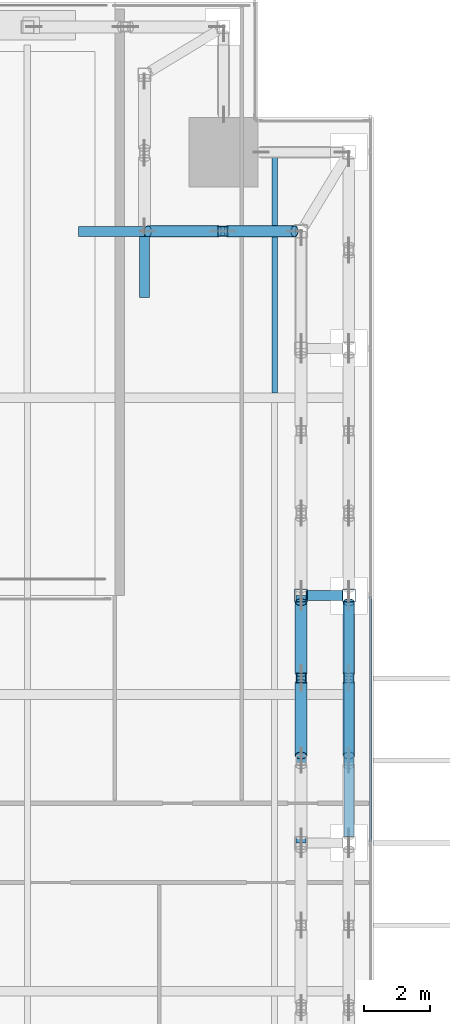
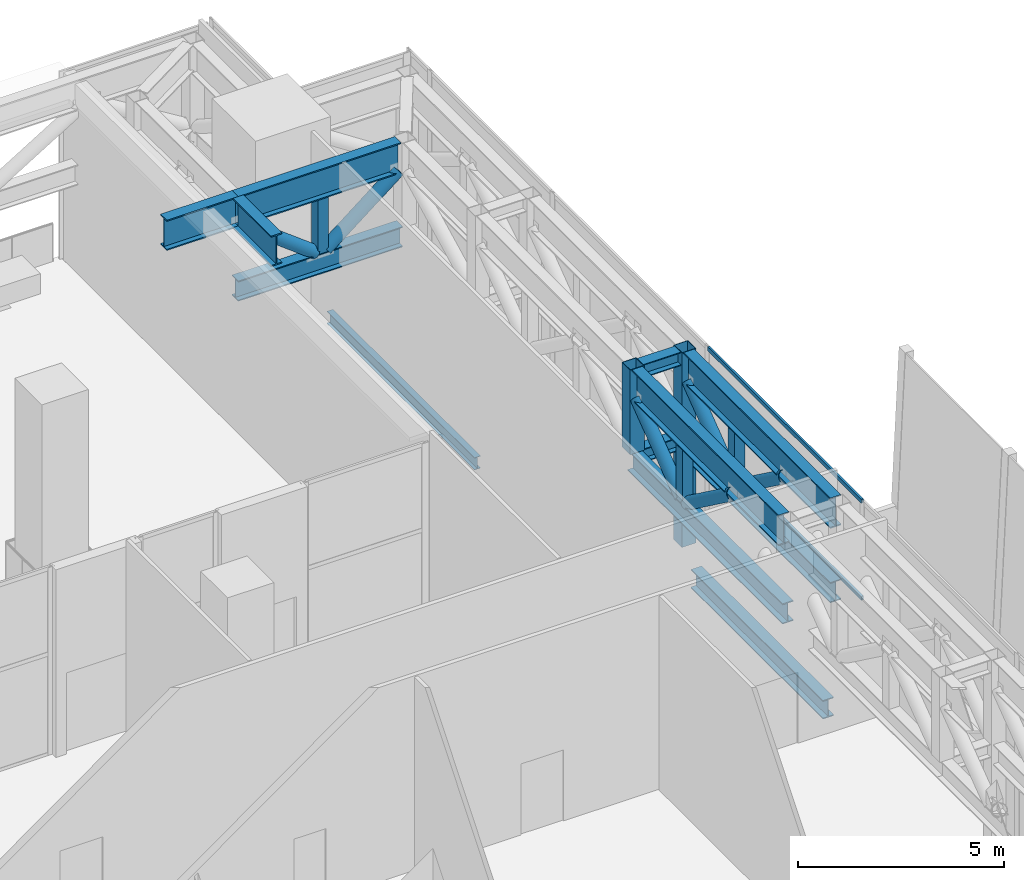
# One storey, part 26 of 47: 21 members, 4 beams, 1 element without a shape of its own.
"""IFC4 building model written with IfcOpenShell, lengths in metres."""

import ifcopenshell
import ifcopenshell.guid

model = None  # the IFC model being written
_history = None  # IfcOwnerHistory: only IFC2X3 demands one
_inside = {}  # id of a spatial element -> (the spatial element, [elements in it])
_under = {}  # id of a project, library or spatial element -> (it, [spatial elements below it])
_declared = {}  # id of a project -> (the project, [libraries it declares])
_typed = {}  # id of a type object -> (the type object, [elements of that type])
_made_of = {}  # id of a material, layer set ... -> (it, [elements and type objects made of it])


def new_model(schema):
    """Start an empty IFC model of exactly this schema.

    Asked for "IFC4X3", IfcOpenShell would pick the latest addendum, in which some entities
    have other attributes; the version numbers below select the first issue.
    IFC2X3 requires an IfcOwnerHistory on every rooted entity: one is made here for all.
    """
    global model, _history
    if schema == "IFC4X3":
        model = ifcopenshell.file(schema_version=(4, 3, 0, 0))
    else:
        model = ifcopenshell.file(schema=schema)
    _inside.clear()
    _under.clear()
    _declared.clear()
    _typed.clear()
    _made_of.clear()
    _history = None
    if model.schema == "IFC2X3":
        org = make("IfcOrganization", Name="unknown")
        user = make(
            "IfcPersonAndOrganization",
            ThePerson=make("IfcPerson", FamilyName="unknown"),
            TheOrganization=org,
        )
        app = make(
            "IfcApplication",
            ApplicationDeveloper=org,
            Version="unknown",
            ApplicationFullName="unknown",
            ApplicationIdentifier="unknown",
        )
        _history = make(
            "IfcOwnerHistory",
            OwningUser=user,
            OwningApplication=app,
            ChangeAction="ADDED",
            CreationDate=0,
        )
    return model


def make(cls, **values):
    """One entity of the class cls with the attributes given. An attribute that is None is left unset."""
    return model.create_entity(
        cls, **{name: value for name, value in values.items() if value is not None}
    )


def rooted(cls, **values):
    """An entity with a GlobalId (a new one), such as an element, a storey or a relation."""
    return make(cls, GlobalId=ifcopenshell.guid.new(), OwnerHistory=_history, **values)


def si_unit(unit_type, name, prefix=None):
    """IfcSIUnit, for example si_unit("LENGTHUNIT", "METRE", prefix="MILLI")."""
    return make("IfcSIUnit", UnitType=unit_type, Prefix=prefix, Name=name)


def assignment(units):
    """IfcUnitAssignment: the units of a project."""
    return None if units is None else make("IfcUnitAssignment", Units=units)


def point(xyz):
    """IfcCartesianPoint."""
    return None if xyz is None else make("IfcCartesianPoint", Coordinates=xyz)


def direction(xyz):
    """IfcDirection."""
    return None if xyz is None else make("IfcDirection", DirectionRatios=xyz)


def frame(location, z_axis=None, x_axis=None):
    """IfcAxis2Placement3D, a coordinate frame: its origin and axes. An axis left out is left unset."""
    return make(
        "IfcAxis2Placement3D",
        Location=point(location),
        Axis=direction(z_axis),
        RefDirection=direction(x_axis),
    )


def frame_2d(location, x_axis=None):
    """IfcAxis2Placement2D, a coordinate frame in the plane: its origin and x axis."""
    return make(
        "IfcAxis2Placement2D", Location=point(location), RefDirection=direction(x_axis)
    )


def origin():
    """The frame at (0, 0, 0) with its axes left unset."""
    return frame((0.0, 0.0, 0.0))


def origin_2d():
    """The frame at (0, 0) in the plane with its x axis left unset."""
    return frame_2d((0.0, 0.0))


def place(relative_to, where):
    """IfcLocalPlacement: puts the frame where relative to a parent placement (None: the world)."""
    return make(
        "IfcLocalPlacement", PlacementRelTo=relative_to, RelativePlacement=where
    )


def context(
    kind, dimensions, precision=None, world=None, true_north=None, identifier=None
):
    """IfcGeometricRepresentationContext, for example the 3D "Model" context."""
    return make(
        "IfcGeometricRepresentationContext",
        ContextIdentifier=identifier,
        ContextType=kind,
        CoordinateSpaceDimension=dimensions,
        Precision=precision,
        WorldCoordinateSystem=world,
        TrueNorth=true_north,
    )


def subcontext(parent, identifier, kind, view, scale=None):
    """IfcGeometricRepresentationSubContext, for example "Body" below "Model"."""
    return make(
        "IfcGeometricRepresentationSubContext",
        ContextIdentifier=identifier,
        ContextType=kind,
        ParentContext=parent,
        TargetScale=scale,
        TargetView=view,
    )


def project(units=None, contexts=None):
    """IfcProject with its units and contexts."""
    return rooted(
        "IfcProject",
        Name="project",
        RepresentationContexts=contexts,
        UnitsInContext=assignment(units),
    )


def spatial(cls, under=None, at=None, **own):
    """A site, building, storey or space (cls), placed at a placement, below another one or the project."""
    s = rooted(cls, ObjectPlacement=at, **own)
    if under is not None:
        _under.setdefault(under.id(), (under, []))[1].append(s)
    return s


def profile(cls, at=None, kind="AREA", **sizes):
    """A parametric profile (cls). Its sizes go by their IFC names, for example OverallWidth=200.0."""
    return make(cls, ProfileType=kind, Position=at, **sizes)


def hollow_rectangle(**sizes):
    """IfcRectangleHollowProfileDef."""
    return profile("IfcRectangleHollowProfileDef", **sizes)


def hollow_circle(**sizes):
    """IfcCircleHollowProfileDef."""
    return profile("IfcCircleHollowProfileDef", **sizes)


def i_section(**sizes):
    """IfcIShapeProfileDef."""
    return profile("IfcIShapeProfileDef", **sizes)


def extrude(swept, where, along, depth):
    """IfcExtrudedAreaSolid: the profile swept, set in the frame where, extruded along a direction by depth."""
    return make(
        "IfcExtrudedAreaSolid",
        SweptArea=swept,
        Position=where,
        ExtrudedDirection=direction(along),
        Depth=depth,
    )


def shape(context_of_items, identifier, shape_type, items):
    """IfcShapeRepresentation: the items that make up one representation, for example the "Body"."""
    return make(
        "IfcShapeRepresentation",
        ContextOfItems=context_of_items,
        RepresentationIdentifier=identifier,
        RepresentationType=shape_type,
        Items=items,
    )


def source(mapping_origin, context_of_items, identifier, shape_type, items):
    """IfcRepresentationMap: a shape defined once, which mapped items show again and again."""
    return make(
        "IfcRepresentationMap",
        MappingOrigin=mapping_origin,
        MappedRepresentation=shape(context_of_items, identifier, shape_type, items),
    )


def transform(
    local_origin,
    x_axis=None,
    y_axis=None,
    z_axis=None,
    scale=None,
    scale2=None,
    scale3=None,
    uniform=True,
):
    """IfcCartesianTransformationOperator3D, or its non-uniform kind. x_axis, y_axis, z_axis: its Axis1, 2, 3."""
    if uniform:
        return make(
            "IfcCartesianTransformationOperator3D",
            Axis1=direction(x_axis),
            Axis2=direction(y_axis),
            LocalOrigin=point(local_origin),
            Scale=scale,
            Axis3=direction(z_axis),
        )
    return make(
        "IfcCartesianTransformationOperator3DnonUniform",
        Axis1=direction(x_axis),
        Axis2=direction(y_axis),
        LocalOrigin=point(local_origin),
        Scale=scale,
        Axis3=direction(z_axis),
        Scale2=scale2,
        Scale3=scale3,
    )


def mapped(mapping_source, mapping_target):
    """IfcMappedItem: shows the shape of a source again, moved by a transform."""
    return make(
        "IfcMappedItem", MappingSource=mapping_source, MappingTarget=mapping_target
    )


def material(Name=None, Category=None):
    """IfcMaterial."""
    return make("IfcMaterial", Name=Name, Category=Category)


def material_profile(
    of_material, cross_section, Name=None, Category=None, Priority=None
):
    """IfcMaterialProfile: a cross section and its material."""
    return make(
        "IfcMaterialProfile",
        Name=Name,
        Material=of_material,
        Profile=cross_section,
        Priority=Priority,
        Category=Category,
    )


def profile_set(profiles, Name=None, composite=None):
    """IfcMaterialProfileSet."""
    return make(
        "IfcMaterialProfileSet",
        Name=Name,
        MaterialProfiles=profiles,
        CompositeProfile=composite,
    )


def made_of(thing, what):
    """Note that an element or type object is made of a material, layer set ...; save() writes the relation."""
    if what is not None:
        _made_of.setdefault(what.id(), (what, []))[1].append(thing)
    return thing


def type_object(cls, material=None, **own):
    """A type object (cls), such as IfcWallType, which elements share."""
    return made_of(rooted(cls, **own), material)


def element(
    cls,
    number,
    at=None,
    inside=None,
    cuts=None,
    type_object=None,
    material=None,
    context=None,
    identifier="Body",
    shape_type=None,
    held_by="IfcProductDefinitionShape",
    body=None,
    shapes=None,
    **own,
):
    """One element of the class cls, such as IfcWall. Its Tag is "e" and its number.

    at: its placement. inside: the storey or other place that contains it. cuts: it is an
    opening in that element (IfcRelVoidsElement). A single representation is given by context,
    identifier, shape_type and body (its items); several are given by shapes. held_by: the class
    of the entity that holds the representations. save() writes the other relations.
    """
    e = rooted(cls, Tag="e%d" % number, ObjectPlacement=at, **own)
    if body is not None:
        shapes = [shape(context, identifier, shape_type, body)]
    if shapes is not None:
        e.Representation = make(held_by, Representations=shapes)
    if inside is not None:
        _inside.setdefault(inside.id(), (inside, []))[1].append(e)
    if cuts is not None:
        rooted(
            "IfcRelVoidsElement", RelatingBuildingElement=cuts, RelatedOpeningElement=e
        )
    if type_object is not None:
        _typed.setdefault(type_object.id(), (type_object, []))[1].append(e)
    return made_of(e, material)


def aggregate(whole, parts):
    """IfcRelAggregates: a whole, such as a stair, and the parts it consists of."""
    return rooted("IfcRelAggregates", RelatingObject=whole, RelatedObjects=parts)


def save(model, path):
    """Write the relations noted so far, then the file.

    IfcRelAggregates (storeys below a building ...), IfcRelContainedInSpatialStructure (elements
    in a storey), IfcRelDefinesByType, IfcRelAssociatesMaterial and IfcRelDeclares: one each for
    every whole, place, type object, material and project.
    """
    for whole, parts in _under.values():
        aggregate(whole, parts)
    for where, things in _inside.values():
        rooted(
            "IfcRelContainedInSpatialStructure",
            RelatedElements=things,
            RelatingStructure=where,
        )
    for kind, things in _typed.values():
        rooted("IfcRelDefinesByType", RelatedObjects=things, RelatingType=kind)
    for what, things in _made_of.values():
        rooted("IfcRelAssociatesMaterial", RelatedObjects=things, RelatingMaterial=what)
    for by, libraries in _declared.values():
        rooted("IfcRelDeclares", RelatingContext=by, RelatedDefinitions=libraries)
    model.write(path)


model = new_model("IFC4")

# Units and contexts
model_context = context("Model", 3, precision=1e-05, world=origin(), true_north=direction((0.0, 1.0)))
body_context = subcontext(model_context, "Body", "Model", "MODEL_VIEW")
ifc_project = project(units=[si_unit("LENGTHUNIT", "METRE"), si_unit("AREAUNIT", "SQUARE_METRE"), si_unit("VOLUMEUNIT", "CUBIC_METRE"), si_unit("PLANEANGLEUNIT", "RADIAN"), si_unit("MASSUNIT", "GRAM", prefix="KILO")], contexts=[model_context])

# Site, building, storey
site_placement = place(None, origin())
site = spatial("IfcSite", under=ifc_project, at=site_placement, CompositionType="ELEMENT")
building_placement = place(site_placement, origin())
building = spatial("IfcBuilding", under=site, at=building_placement, Name="Khomas Fold Tower", CompositionType="ELEMENT")
storey_placement = place(building_placement, frame((0.0, 0.0, 158.699951171875)))
storey = spatial("IfcBuildingStorey", under=building, at=storey_placement, Name="L34", CompositionType="ELEMENT", Elevation=158.699951171875)

# Beams
ifc_material_1 = material(Name="Steel S355", Category="steel")
ifc_material_profile_1 = material_profile(ifc_material_1, i_section(OverallWidth=0.169921875, OverallDepth=0.360107421875, WebThickness=0.008056640625, FlangeThickness=0.0126953125, at=origin_2d()), Name="IPE 360")
ifc_profile_set_1 = profile_set([ifc_material_profile_1], Name="Steel S355")
beam_type_1 = type_object("IfcBeamType", Name="IPE 360 beam JB2", PredefinedType="BEAM", material=ifc_profile_set_1)
shared_shape_1 = source(origin(), body_context, "Body", "SweptSolid", [
    extrude(i_section(OverallWidth=0.169921875, OverallDepth=0.360107421875, WebThickness=0.008056640625, FlangeThickness=0.0126953125, at=origin_2d()), origin(), (0.0, 0.0, 1.0), 7.150146484375),
])
beam_1_placement = place(storey_placement, frame((49.5, 40.64990234375, -0.6298828125), z_axis=(0.0, 1.0, 0.0), x_axis=(-1.0, 0.0, 0.0)))
element("IfcBeam", 1, at=beam_1_placement, inside=storey, type_object=beam_type_1, Name="JB2", PredefinedType="BEAM", context=body_context, shape_type="MappedRepresentation", body=[
    mapped(shared_shape_1, transform((0.0, 0.0, 0.0))),
])
ifc_material_2 = material(Name="Steel S355", Category="steel")
ifc_material_profile_2 = material_profile(ifc_material_2, i_section(OverallWidth=0.300048828125, OverallDepth=0.550048828125, WebThickness=0.014892578125, FlangeThickness=0.029052734375, at=origin_2d()), Name="HE 550 B")
ifc_profile_set_2 = profile_set([ifc_material_profile_2], Name="Steel S355")
beam_type_2 = type_object("IfcBeamType", Name="HE 550 B spandrel SB2", PredefinedType="SPANDREL", material=ifc_profile_set_2)
shared_shape_2 = source(origin(), body_context, "Body", "SweptSolid", [
    extrude(i_section(OverallWidth=0.300048828125, OverallDepth=0.550048828125, WebThickness=0.014892578125, FlangeThickness=0.029052734375, at=origin_2d()), origin(), (0.0, 0.0, 1.0), 6.39990234375),
])
beam_2_placement = place(storey_placement, frame((51.75, 27.550048828125, -0.724853515625), z_axis=(0.0, 1.0, 0.0), x_axis=(-1.0, 0.0, 0.0)))
element("IfcBeam", 2, at=beam_2_placement, inside=storey, type_object=beam_type_2, Name="SB2", PredefinedType="SPANDREL", context=body_context, shape_type="MappedRepresentation", body=[
    mapped(shared_shape_2, transform((0.0, 0.0, 0.0))),
])

# Members
ifc_material_3 = material(Name="Steel S355", Category="steel")
ifc_material_profile_3 = material_profile(ifc_material_3, hollow_rectangle(XDim=0.300048828125, YDim=0.300048828125, WallThickness=0.012451171875, at=origin_2d()), Name="SHS 300x300x12.5")
ifc_profile_set_3 = profile_set([ifc_material_profile_3], Name="Steel S355")
member_type_1 = type_object("IfcMemberType", Name="BELT TRUSS 2 MID POST SHS 300x300x12.5", PredefinedType="POST", material=ifc_profile_set_3)
shared_shape_3 = source(origin(), body_context, "Body", "SweptSolid", [
    extrude(hollow_rectangle(XDim=0.300048828125, YDim=0.300048828125, WallThickness=0.012451171875, at=origin_2d()), origin(), (0.0, 0.0, 1.0), 1.60009765625),
])
for number, where, z_axis, x_axis, name in (
    (3, (51.75, 32.0, 3.25), (0.0, 0.0, 1.0), (1.0, 0.0, 0.0), "BT2-M"),
    (4, (50.300048828125, 32.0, 3.25), (0.0, 0.0, 1.0), (1.0, 0.0, 0.0), "BT2-M"),
    (5, (47.925048828125, 45.550048828125, 3.25), (0.0, 0.0, 1.0), (1.0, 0.0, 0.0), "BT2-M"),
):
    element("IfcMember", number, at=place(storey_placement, frame(where, z_axis=z_axis, x_axis=x_axis)), inside=storey, type_object=member_type_1, Name=name, PredefinedType="POST", context=body_context, shape_type="MappedRepresentation", body=[
        mapped(shared_shape_3, transform((0.0, 0.0, 0.0))),
    ])
ifc_material_4 = material(Name="Steel S460M", Category="steel")
ifc_material_profile_4 = material_profile(ifc_material_4, i_section(OverallWidth=0.300048828125, OverallDepth=0.89990234375, WebThickness=0.0185546875, FlangeThickness=0.034912109375, at=origin_2d()), Name="HE 900 B")
ifc_profile_set_4 = profile_set([ifc_material_profile_4], Name="Steel S460M")
member_type_2 = type_object("IfcMemberType", Name="BELT TRUSS 2 TOP CHORD HE 900 B", PredefinedType="CHORD", material=ifc_profile_set_4)
shared_shape_4 = source(origin(), body_context, "Body", "SweptSolid", [
    extrude(i_section(OverallWidth=0.300048828125, OverallDepth=0.89990234375, WebThickness=0.0185546875, FlangeThickness=0.034912109375, at=origin_2d()), origin(), (0.0, 0.0, 1.0), 7.10009765625),
])
for number, where, z_axis, x_axis, name in (
    (6, (51.75, 27.199951171875, 5.300048828125), (0.0, 1.0, 0.0), (-1.0, 0.0, 0.0), "BT2-CT"),
    (7, (50.300048828125, 27.199951171875, 5.300048828125), (0.0, 1.0, 0.0), (-1.0, 0.0, 0.0), "BT2-CT"),
):
    element("IfcMember", number, at=place(storey_placement, frame(where, z_axis=z_axis, x_axis=x_axis)), inside=storey, type_object=member_type_2, Name=name, PredefinedType="CHORD", context=body_context, shape_type="MappedRepresentation", body=[
        mapped(shared_shape_4, transform((0.0, 0.0, 0.0))),
    ])
ifc_material_5 = material(Name="Steel S355", Category="steel")
ifc_material_profile_5 = material_profile(ifc_material_5, i_section(OverallWidth=0.300048828125, OverallDepth=0.60009765625, WebThickness=0.015380859375, FlangeThickness=0.030029296875, at=origin_2d()), Name="HE 600 B")
ifc_profile_set_5 = profile_set([ifc_material_profile_5], Name="Steel S355")
member_type_3 = type_object("IfcMemberType", Name="BELT TRUSS 2 BOTTOM CHORD HE 600 B", PredefinedType="CHORD", material=ifc_profile_set_5)
shared_shape_5 = source(origin(), body_context, "Body", "SweptSolid", [
    extrude(i_section(OverallWidth=0.300048828125, OverallDepth=0.60009765625, WebThickness=0.015380859375, FlangeThickness=0.030029296875, at=origin_2d()), origin(), (0.0, 0.0, 1.0), 7.10009765625),
])
member_1_placement = place(storey_placement, frame((51.75, 27.199951171875, 2.949951171875), z_axis=(0.0, 1.0, 0.0), x_axis=(-1.0, 0.0, 0.0)))
element("IfcMember", 8, at=member_1_placement, inside=storey, type_object=member_type_3, Name="BT2-CB", PredefinedType="CHORD", context=body_context, shape_type="MappedRepresentation", body=[
    mapped(shared_shape_5, transform((0.0, 0.0, 0.0))),
])
ifc_material_6 = material(Name="Steel S355", Category="steel")
ifc_material_profile_6 = material_profile(ifc_material_6, hollow_circle(Radius=0.177734375, WallThickness=0.01611328125, at=origin_2d()), Name="CHS 355.6x16")
ifc_profile_set_6 = profile_set([ifc_material_profile_6], Name="Steel S355")
member_type_4 = type_object("IfcMemberType", Name="BELT TRUSS 2 DIAGONAL CHS 355.6x16", PredefinedType="BRACE", material=ifc_profile_set_6)
shared_shape_6 = source(origin(), body_context, "Body", "SweptSolid", [
    extrude(hollow_circle(Radius=0.177734375, WallThickness=0.01611328125, at=origin_2d()), origin(), (0.0, 0.0, 1.0), 2.68603515625),
])
for number, where, z_axis, x_axis, name in (
    (9, (51.75, 32.14990234375, 3.2451171875), (0.0, 0.800490552016, 0.599345372998), (-1.0, 0.0, 0.0), "BT2-D"),
    (10, (50.300048828125, 32.14990234375, 3.2451171875), (0.0, 0.800490552016, 0.599345372998), (-1.0, 0.0, 0.0), "BT2-D"),
):
    element("IfcMember", number, at=place(storey_placement, frame(where, z_axis=z_axis, x_axis=x_axis)), inside=storey, type_object=member_type_4, Name=name, PredefinedType="BRACE", context=body_context, shape_type="MappedRepresentation", body=[
        mapped(shared_shape_6, transform((0.0, 0.0, 0.0))),
    ])
shared_shape_7 = source(origin(), body_context, "Body", "SweptSolid", [
    extrude(hollow_circle(Radius=0.177734375, WallThickness=0.01611328125, at=origin_2d()), origin(), (0.0, 0.0, 1.0), 2.726318359375),
])
for number, where, z_axis, x_axis, name in (
    (11, (51.75, 29.64990234375, 4.85498046875), (0.0, 0.80703657096, -0.590501459044), (-1.0, 0.0, 0.0), "BT2-D"),
    (12, (50.300048828125, 29.64990234375, 4.85498046875), (0.0, 0.80703657096, -0.590501459044), (-1.0, 0.0, 0.0), "BT2-D"),
):
    element("IfcMember", number, at=place(storey_placement, frame(where, z_axis=z_axis, x_axis=x_axis)), inside=storey, type_object=member_type_4, Name=name, PredefinedType="BRACE", context=body_context, shape_type="MappedRepresentation", body=[
        mapped(shared_shape_7, transform((0.0, 0.0, 0.0))),
    ])
shared_shape_8 = source(origin(), body_context, "Body", "SweptSolid", [
    extrude(i_section(OverallWidth=0.300048828125, OverallDepth=0.60009765625, WebThickness=0.015380859375, FlangeThickness=0.030029296875, at=origin_2d()), origin(), (0.0, 0.0, 1.0), 7.5),
])
member_2_placement = place(storey_placement, frame((50.300048828125, 27.0, 2.949951171875), z_axis=(0.0, 1.0, 0.0), x_axis=(-1.0, 0.0, 0.0)))
element("IfcMember", 13, at=member_2_placement, inside=storey, type_object=member_type_3, Name="BT2-CB", PredefinedType="CHORD", context=body_context, shape_type="MappedRepresentation", body=[
    mapped(shared_shape_8, transform((0.0, 0.0, 0.0))),
])
ifc_material_7 = material(Name="Steel S460M", Category="steel")
ifc_material_profile_7 = material_profile(ifc_material_7, i_section(OverallWidth=0.300048828125, OverallDepth=0.89990234375, WebThickness=0.0185546875, FlangeThickness=0.034912109375, at=origin_2d()), Name="HE 900 B")
ifc_profile_set_7 = profile_set([ifc_material_profile_7], Name="Steel S460M")
member_type_5 = type_object("IfcMemberType", Name="BELT TRUSS 2 TOP CHORD SHORT HE 900 B", PredefinedType="CHORD", material=ifc_profile_set_7)
shared_shape_9 = source(origin(), body_context, "Body", "SweptSolid", [
    extrude(i_section(OverallWidth=0.300048828125, OverallDepth=0.89990234375, WebThickness=0.0185546875, FlangeThickness=0.034912109375, at=origin_2d()), origin(), (0.0, 0.0, 1.0), 4.550048828125),
])
member_3_placement = place(storey_placement, frame((50.10009765625, 45.550048828125, 5.300048828125), z_axis=(-1.0, 0.0, 0.0), x_axis=(0.0, -1.0, 0.0)))
element("IfcMember", 14, at=member_3_placement, inside=storey, type_object=member_type_5, Name="BT2-CTS", PredefinedType="CHORD", context=body_context, shape_type="MappedRepresentation", body=[
    mapped(shared_shape_9, transform((0.0, 0.0, 0.0))),
])
shared_shape_10 = source(origin(), body_context, "Body", "SweptSolid", [
    extrude(hollow_circle(Radius=0.177734375, WallThickness=0.01611328125, at=origin_2d()), origin(), (0.0, 0.0, 1.0), 2.587158203125),
])
member_4_placement = place(storey_placement, frame((50.10009765625, 45.550048828125, 4.85498046875), z_axis=(-0.782798501994, 0.0, -0.622275264876), x_axis=(0.0, -1.0, 0.0)))
element("IfcMember", 15, at=member_4_placement, inside=storey, type_object=member_type_4, Name="BT2-D", PredefinedType="BRACE", context=body_context, shape_type="MappedRepresentation", body=[
    mapped(shared_shape_10, transform((0.0, 0.0, 0.0))),
])
shared_shape_11 = source(origin(), body_context, "Body", "SweptSolid", [
    extrude(hollow_circle(Radius=0.177734375, WallThickness=0.01611328125, at=origin_2d()), origin(), (0.0, 0.0, 1.0), 2.662841796875),
])
member_5_placement = place(storey_placement, frame((47.77490234375, 45.550048828125, 3.2451171875), z_axis=(-0.79655424277, 0.0, 0.604567066854), x_axis=(0.0, -1.0, 0.0)))
element("IfcMember", 16, at=member_5_placement, inside=storey, type_object=member_type_4, Name="BT2-D", PredefinedType="BRACE", context=body_context, shape_type="MappedRepresentation", body=[
    mapped(shared_shape_11, transform((0.0, 0.0, 0.0))),
])
ifc_material_8 = material(Name="Steel S460M", Category="steel")
ifc_material_profile_8 = material_profile(ifc_material_8, i_section(OverallWidth=0.300048828125, OverallDepth=0.89990234375, WebThickness=0.0185546875, FlangeThickness=0.034912109375, at=origin_2d()), Name="HE 900 B")
ifc_profile_set_8 = profile_set([ifc_material_profile_8], Name="Steel S460M")
member_type_6 = type_object("IfcMemberType", Name="BELT TRUSS 2 TOP CHORD SHORTER HE 900 B", PredefinedType="CHORD", material=ifc_profile_set_8)
shared_shape_12 = source(origin(), body_context, "Body", "SweptSolid", [
    extrude(i_section(OverallWidth=0.300048828125, OverallDepth=0.89990234375, WebThickness=0.0185546875, FlangeThickness=0.034912109375, at=origin_2d()), origin(), (0.0, 0.0, 1.0), 2.0),
])
member_6_placement = place(storey_placement, frame((45.550048828125, 45.550048828125, 5.300048828125), z_axis=(-1.0, 0.0, 0.0), x_axis=(0.0, -1.0, 0.0)))
element("IfcMember", 17, at=member_6_placement, inside=storey, type_object=member_type_6, Name="BT2-CTSS", PredefinedType="CHORD", context=body_context, shape_type="MappedRepresentation", body=[
    mapped(shared_shape_12, transform((0.0, 0.0, 0.0))),
])
shared_shape_13 = source(origin(), body_context, "Body", "SweptSolid", [
    extrude(i_section(OverallWidth=0.300048828125, OverallDepth=0.89990234375, WebThickness=0.0185546875, FlangeThickness=0.034912109375, at=origin_2d()), origin(), (0.0, 0.0, 1.0), 1.849853515625),
])
member_7_placement = place(storey_placement, frame((45.550048828125, 45.39990234375, 5.300048828125), z_axis=(0.0, -1.0, 0.0), x_axis=(1.0, 0.0, 0.0)))
element("IfcMember", 18, at=member_7_placement, inside=storey, type_object=member_type_6, Name="BT2-CTSS", PredefinedType="CHORD", context=body_context, shape_type="MappedRepresentation", body=[
    mapped(shared_shape_13, transform((0.0, 0.0, 0.0))),
])
ifc_material_9 = material(Name="Steel S355", Category="steel")
ifc_material_profile_9 = material_profile(ifc_material_9, i_section(OverallWidth=0.300048828125, OverallDepth=0.60009765625, WebThickness=0.015380859375, FlangeThickness=0.030029296875, at=origin_2d()), Name="HE 600 B")
ifc_profile_set_9 = profile_set([ifc_material_profile_9], Name="Steel S355")
member_type_7 = type_object("IfcMemberType", Name="BELT TRUSS 2 BOTTOM CHORD SHORT HE 600 B", PredefinedType="CHORD", material=ifc_profile_set_9)
shared_shape_14 = source(origin(), body_context, "Body", "SweptSolid", [
    extrude(i_section(OverallWidth=0.300048828125, OverallDepth=0.60009765625, WebThickness=0.015380859375, FlangeThickness=0.030029296875, at=origin_2d()), origin(), (0.0, 0.0, 1.0), 4.599853515625),
])
member_8_placement = place(storey_placement, frame((50.14990234375, 45.550048828125, 2.949951171875), z_axis=(-1.0, 0.0, 0.0), x_axis=(0.0, -1.0, 0.0)))
element("IfcMember", 19, at=member_8_placement, inside=storey, type_object=member_type_7, Name="BT2-CBS", PredefinedType="CHORD", context=body_context, shape_type="MappedRepresentation", body=[
    mapped(shared_shape_14, transform((0.0, 0.0, 0.0))),
])
ifc_material_10 = material(Name="Steel S460M", Category="steel")
ifc_material_profile_10 = material_profile(ifc_material_10, hollow_rectangle(XDim=0.39990234375, YDim=0.39990234375, WallThickness=0.01611328125, at=origin_2d()), Name="SHS 400x400x16")
ifc_profile_set_10 = profile_set([ifc_material_profile_10], Name="Steel S460M")
member_type_8 = type_object("IfcMemberType", Name="BELT TRUSS 2 COLUMN POST SHS 400x400x16", PredefinedType="POST", material=ifc_profile_set_10)
shared_shape_15 = source(origin(), body_context, "Body", "SweptSolid", [
    extrude(hollow_rectangle(XDim=0.39990234375, YDim=0.39990234375, WallThickness=0.01611328125, at=origin_2d()), origin(), (0.0, 0.0, 1.0), 5.75),
])
member_9_placement = place(storey_placement, frame((51.75, 34.5, 0.0), z_axis=(0.0, 0.0, 1.0), x_axis=(1.0, 0.0, 0.0)))
element("IfcMember", 20, at=member_9_placement, inside=storey, type_object=member_type_8, Name="BT2-P", PredefinedType="POST", context=body_context, shape_type="MappedRepresentation", body=[
    mapped(shared_shape_15, transform((0.0, 0.0, 0.0))),
])
ifc_material_11 = material(Name="Steel S460M", Category="steel")
ifc_material_profile_11 = material_profile(ifc_material_11, hollow_rectangle(XDim=0.39990234375, YDim=0.39990234375, WallThickness=0.01611328125, at=origin_2d()), Name="SHS 400x400x16")
ifc_profile_set_11 = profile_set([ifc_material_profile_11], Name="Steel S460M")
member_type_9 = type_object("IfcMemberType", Name="BELT TRUSS 2 COLUMN POST SHORT SHS 400x400x16", PredefinedType="POST", material=ifc_profile_set_11)
shared_shape_16 = source(origin(), body_context, "Body", "SweptSolid", [
    extrude(hollow_rectangle(XDim=0.39990234375, YDim=0.39990234375, WallThickness=0.01611328125, at=origin_2d()), origin(), (0.0, 0.0, 1.0), 2.5),
])
member_10_placement = place(storey_placement, frame((50.300048828125, 34.5, 3.25), z_axis=(0.0, 0.0, 1.0), x_axis=(1.0, 0.0, 0.0)))
element("IfcMember", 21, at=member_10_placement, inside=storey, type_object=member_type_9, Name="BT2-PS", PredefinedType="POST", context=body_context, shape_type="MappedRepresentation", body=[
    mapped(shared_shape_16, transform((0.0, 0.0, 0.0))),
])

# Beams
ifc_material_12 = material(Name="Steel S355", Category="steel")
ifc_material_profile_12 = material_profile(ifc_material_12, i_section(OverallWidth=0.300048828125, OverallDepth=0.39990234375, WebThickness=0.013427734375, FlangeThickness=0.02392578125, at=origin_2d()), Name="HE 400 B")
ifc_profile_set_12 = profile_set([ifc_material_profile_12], Name="Steel S355")
beam_type_3 = type_object("IfcBeamType", Name="BELT TRUSS 2 TOP STRUT HE 400 B", PredefinedType="BEAM", material=ifc_profile_set_12)
shared_shape_17 = source(origin(), body_context, "Body", "SweptSolid", [
    extrude(i_section(OverallWidth=0.300048828125, OverallDepth=0.39990234375, WebThickness=0.013427734375, FlangeThickness=0.02392578125, at=origin_2d()), origin(), (0.0, 0.0, 1.0), 1.050048828125),
])
beam_3_placement = place(storey_placement, frame((50.5, 34.5, 5.550048828125), z_axis=(1.0, 0.0, 0.0), x_axis=(0.0, 1.0, 0.0)))
element("IfcBeam", 22, at=beam_3_placement, inside=storey, type_object=beam_type_3, Name="BT2-ST", PredefinedType="BEAM", context=body_context, shape_type="MappedRepresentation", body=[
    mapped(shared_shape_17, transform((0.0, 0.0, 0.0))),
])
ifc_material_13 = material(Name="Steel S355", Category="steel")
ifc_material_profile_13 = material_profile(ifc_material_13, i_section(OverallWidth=0.300048828125, OverallDepth=0.39990234375, WebThickness=0.013427734375, FlangeThickness=0.02392578125, at=origin_2d()), Name="HE 400 B")
ifc_profile_set_13 = profile_set([ifc_material_profile_13], Name="Steel S355")
beam_type_4 = type_object("IfcBeamType", Name="BELT TRUSS 2 BOTTOM STRUT HE 400 B", PredefinedType="BEAM", material=ifc_profile_set_13)
shared_shape_18 = source(origin(), body_context, "Body", "SweptSolid", [
    extrude(i_section(OverallWidth=0.300048828125, OverallDepth=0.39990234375, WebThickness=0.013427734375, FlangeThickness=0.02392578125, at=origin_2d()), origin(), (0.0, 0.0, 1.0), 1.10009765625),
])
beam_4_placement = place(storey_placement, frame((50.449951171875, 34.5, 3.050048828125), z_axis=(1.0, 0.0, 0.0), x_axis=(0.0, 1.0, 0.0)))
element("IfcBeam", 23, at=beam_4_placement, inside=storey, type_object=beam_type_4, Name="BT2-SB", PredefinedType="BEAM", context=body_context, shape_type="MappedRepresentation", body=[
    mapped(shared_shape_18, transform((0.0, 0.0, 0.0))),
])

# Curtain wall, members
ifc_material_14 = material(Name="Aluminium framed double glazing", Category="aluminium")
curtain_wall_type = type_object("IfcCurtainWallType", Name="SK-Unitised clear-glass wall, growing floors CW1", PredefinedType="NOTDEFINED", material=ifc_material_14)
curtain_wall_placement = place(storey_placement, origin())
curtain_wall = element("IfcCurtainWall", 24, at=curtain_wall_placement, inside=storey, type_object=curtain_wall_type, Name="CW1 run L34 08-0", PredefinedType="NOTDEFINED")
ifc_material_15 = material(Name="Aluminium", Category="aluminium")
ifc_material_profile_14 = material_profile(ifc_material_15, hollow_rectangle(XDim=0.06005859375, YDim=0.1201171875, WallThickness=0.00390625, at=origin_2d()), Name="SK-Unitised clear-glass wall, growing floors transom CW1-T")
ifc_profile_set_14 = profile_set([ifc_material_profile_14], Name="Aluminium")
member_type_10 = type_object("IfcMemberType", Name="SK-Unitised clear-glass wall, growing floors transom CW1-T", PredefinedType="USERDEFINED", material=ifc_profile_set_14)
shared_shape_19 = source(origin(), body_context, "Body", "SweptSolid", [
    extrude(hollow_rectangle(XDim=0.06005859375, YDim=0.1201171875, WallThickness=0.00390625, at=origin_2d()), origin(), (0.0, 0.0, 1.0), 7.43994140625),
])
member_11_placement = place(storey_placement, frame((52.39990234375, 27.030029296875, 5.489990234375), z_axis=(0.0, 1.0, 0.0), x_axis=(-1.0, 0.0, 0.0)))
member_11 = element("IfcMember", 25, at=member_11_placement, type_object=member_type_10, Name="CW1 transom 5", ObjectType="TRANSOM", PredefinedType="USERDEFINED", context=body_context, shape_type="MappedRepresentation", body=[
    mapped(shared_shape_19, transform((0.0, 0.0, 0.0))),
])
member_12_placement = place(storey_placement, frame((52.39990234375, 27.030029296875, 2.6171875), z_axis=(0.0, 1.0, 0.0), x_axis=(-1.0, 0.0, 0.0)))
member_12 = element("IfcMember", 26, at=member_12_placement, type_object=member_type_10, Name="CW1 transom 5 (truss floor)", ObjectType="TRANSOM", PredefinedType="USERDEFINED", context=body_context, shape_type="MappedRepresentation", body=[
    mapped(shared_shape_19, transform((0.0, 0.0, 0.0))),
])
aggregate(curtain_wall, [member_11, member_12])

save(model, "model.ifc")
